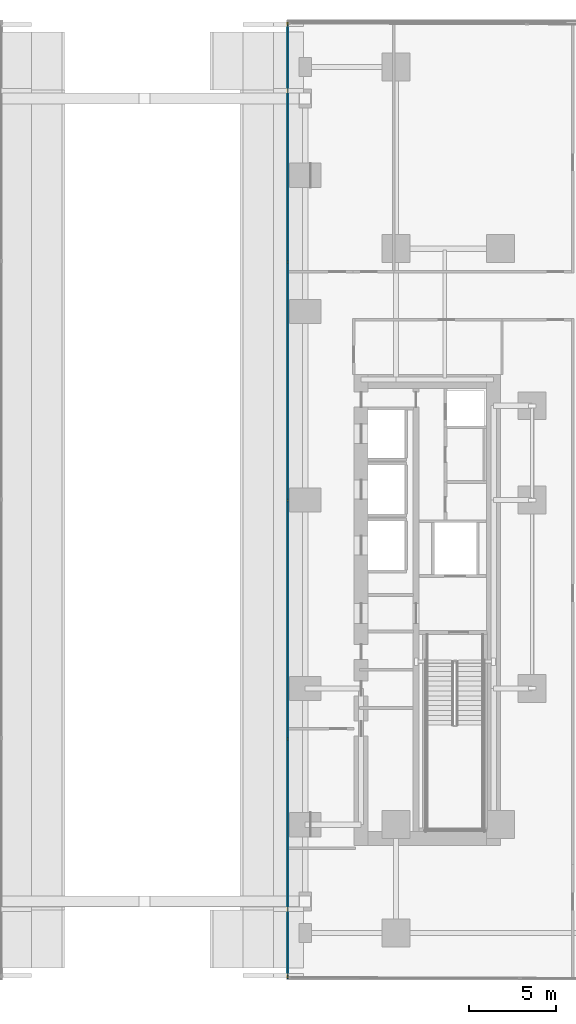
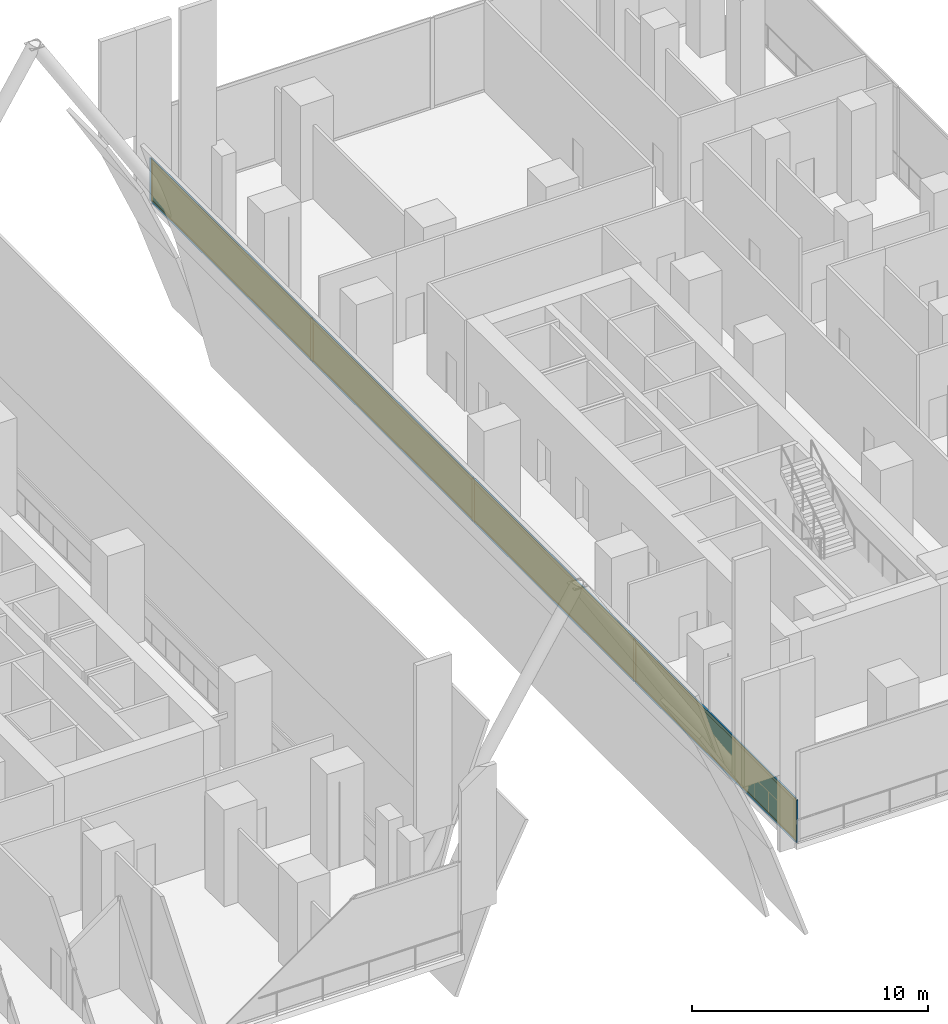
# One storey, part 16 of 31: 13 members, 4 plates, 1 curtain wall.
"""IFC4 building model written with IfcOpenShell, lengths in metres."""

from ifc_helpers import new_model, si_unit, direction, frame, frame_2d, origin, origin_2d, place, context, subcontext, project, spatial, rectangle, extrude, material, layer, layer_set, material_profile, profile_set, type_object, element, aggregate, save


model = new_model("IFC4")

# Units and contexts
model_context = context("Model", 3, precision=1e-05, world=origin(), true_north=direction((0.0, 1.0)))
body_context = subcontext(model_context, "Body", "Model", "MODEL_VIEW")
ifc_project = project(units=[si_unit("LENGTHUNIT", "METRE"), si_unit("AREAUNIT", "SQUARE_METRE"), si_unit("VOLUMEUNIT", "CUBIC_METRE"), si_unit("PLANEANGLEUNIT", "RADIAN"), si_unit("MASSUNIT", "GRAM", prefix="KILO")], contexts=[model_context])

# Member
ifc_material_1 = material(Name="Anodised Bronze Aluminium 6063-T6", Category="aluminium")
ifc_material_profile_1 = material_profile(ifc_material_1, rectangle(XDim=0.074951171875, YDim=0.199951171875, at=origin_2d()))
ifc_profile_set_1 = profile_set([ifc_material_profile_1], Name="Anodised Bronze Aluminium 6063-T6")
member_type_1 = type_object("IfcMemberType", Name="CW-POD Mullion 75x200", PredefinedType="MULLION", material=ifc_profile_set_1)
site_placement = place(None, origin())
building_placement = place(site_placement, origin())
storey_placement = place(building_placement, frame((0.0, 0.0, 6.0)))
member_1_placement = place(storey_placement, frame((8.199951171875, -27.319091796875, 0.0), z_axis=(0.0, 0.0, 1.0), x_axis=(-1.0, 0.0, 0.0)))
member_1 = element("IfcMember", 1, at=member_1_placement, type_object=member_type_1, Name="CW-POD mullion 1", PredefinedType="MULLION", context=body_context, shape_type="SweptSolid", body=[
    extrude(rectangle(XDim=0.074951171875, YDim=0.199951171875, at=origin_2d()), origin(), (0.0, 0.0, 1.0), 2.199951171875),
])

member_2_placement = place(storey_placement, frame((8.199951171875, -13.691162109375, 0.0), z_axis=(0.0, 0.0, 1.0), x_axis=(-1.0, 0.0, 0.0)))
member_2 = element("IfcMember", 2, at=member_2_placement, type_object=member_type_1, Name="CW-POD mullion 2", PredefinedType="MULLION", context=body_context, shape_type="SweptSolid", body=[
    extrude(rectangle(XDim=0.074951171875, YDim=0.199951171875, at=origin_2d()), origin(), (0.0, 0.0, 1.0), 2.199951171875),
])

member_3_placement = place(storey_placement, frame((8.199951171875, -0.025634765625, 0.0), z_axis=(0.0, 0.0, 1.0), x_axis=(-1.0, 0.0, 0.0)))
member_3 = element("IfcMember", 3, at=member_3_placement, type_object=member_type_1, Name="CW-POD mullion 3", PredefinedType="MULLION", context=body_context, shape_type="SweptSolid", body=[
    extrude(rectangle(XDim=0.074951171875, YDim=0.199951171875, at=origin_2d()), origin(), (0.0, 0.0, 1.0), 2.199951171875),
])

member_4_placement = place(storey_placement, frame((8.199951171875, 13.6396484375, 0.0), z_axis=(0.0, 0.0, 1.0), x_axis=(-1.0, 0.0, 0.0)))
member_4 = element("IfcMember", 4, at=member_4_placement, type_object=member_type_1, Name="CW-POD mullion 4", PredefinedType="MULLION", context=body_context, shape_type="SweptSolid", body=[
    extrude(rectangle(XDim=0.074951171875, YDim=0.199951171875, at=origin_2d()), origin(), (0.0, 0.0, 1.0), 2.199951171875),
])

member_5_placement = place(storey_placement, frame((8.199951171875, 27.267578125, 0.0), z_axis=(0.0, 0.0, 1.0), x_axis=(-1.0, 0.0, 0.0)))
member_5 = element("IfcMember", 5, at=member_5_placement, type_object=member_type_1, Name="CW-POD mullion 5", PredefinedType="MULLION", context=body_context, shape_type="SweptSolid", body=[
    extrude(rectangle(XDim=0.074951171875, YDim=0.199951171875, at=origin_2d()), origin(), (0.0, 0.0, 1.0), 2.199951171875),
])

ifc_material_2 = material(Name="Anodised Bronze Aluminium 6063-T6", Category="aluminium")
ifc_material_profile_2 = material_profile(ifc_material_2, rectangle(XDim=0.074951171875, YDim=0.159912109375, at=origin_2d()))
ifc_profile_set_2 = profile_set([ifc_material_profile_2], Name="Anodised Bronze Aluminium 6063-T6")
member_type_2 = type_object("IfcMemberType", Name="CW-POD Transom 75x160", PredefinedType="USERDEFINED", material=ifc_profile_set_2)
member_6_placement = place(storey_placement, frame((8.199951171875, -27.281494140625, 0.03759765625), z_axis=(0.0, 1.0, 0.0), x_axis=(-1.0, 0.0, 0.0)))
member_6 = element("IfcMember", 6, at=member_6_placement, type_object=member_type_2, Name="CW-POD transom 1.1", ObjectType="TRANSOM", PredefinedType="USERDEFINED", context=body_context, shape_type="SweptSolid", body=[
    extrude(rectangle(XDim=0.074951171875, YDim=0.159912109375, at=origin_2d()), origin(), (0.0, 0.0, 1.0), 13.552734375),
])

member_7_placement = place(storey_placement, frame((8.199951171875, -27.281494140625, 2.16259765625), z_axis=(0.0, 1.0, 0.0), x_axis=(-1.0, 0.0, 0.0)))
member_7 = element("IfcMember", 7, at=member_7_placement, type_object=member_type_2, Name="CW-POD transom 1.2", ObjectType="TRANSOM", PredefinedType="USERDEFINED", context=body_context, shape_type="SweptSolid", body=[
    extrude(rectangle(XDim=0.074951171875, YDim=0.159912109375, at=origin_2d()), origin(), (0.0, 0.0, 1.0), 13.552734375),
])

member_8_placement = place(storey_placement, frame((8.199951171875, -13.653564453125, 0.03759765625), z_axis=(0.0, 1.0, 0.0), x_axis=(-1.0, 0.0, 0.0)))
member_8 = element("IfcMember", 8, at=member_8_placement, type_object=member_type_2, Name="CW-POD transom 2.1", ObjectType="TRANSOM", PredefinedType="USERDEFINED", context=body_context, shape_type="SweptSolid", body=[
    extrude(rectangle(XDim=0.074951171875, YDim=0.159912109375, at=origin_2d()), origin(), (0.0, 0.0, 1.0), 13.59033203125),
])

member_9_placement = place(storey_placement, frame((8.199951171875, -13.653564453125, 2.16259765625), z_axis=(0.0, 1.0, 0.0), x_axis=(-1.0, 0.0, 0.0)))
member_9 = element("IfcMember", 9, at=member_9_placement, type_object=member_type_2, Name="CW-POD transom 2.2", ObjectType="TRANSOM", PredefinedType="USERDEFINED", context=body_context, shape_type="SweptSolid", body=[
    extrude(rectangle(XDim=0.074951171875, YDim=0.159912109375, at=origin_2d()), origin(), (0.0, 0.0, 1.0), 13.59033203125),
])

member_10_placement = place(storey_placement, frame((8.199951171875, 0.01171875, 0.03759765625), z_axis=(0.0, 1.0, 0.0), x_axis=(-1.0, 0.0, 0.0)))
member_10 = element("IfcMember", 10, at=member_10_placement, type_object=member_type_2, Name="CW-POD transom 3.1", ObjectType="TRANSOM", PredefinedType="USERDEFINED", context=body_context, shape_type="SweptSolid", body=[
    extrude(rectangle(XDim=0.074951171875, YDim=0.159912109375, at=origin_2d()), origin(), (0.0, 0.0, 1.0), 13.590576171875),
])

member_11_placement = place(storey_placement, frame((8.199951171875, 0.01171875, 2.16259765625), z_axis=(0.0, 1.0, 0.0), x_axis=(-1.0, 0.0, 0.0)))
member_11 = element("IfcMember", 11, at=member_11_placement, type_object=member_type_2, Name="CW-POD transom 3.2", ObjectType="TRANSOM", PredefinedType="USERDEFINED", context=body_context, shape_type="SweptSolid", body=[
    extrude(rectangle(XDim=0.074951171875, YDim=0.159912109375, at=origin_2d()), origin(), (0.0, 0.0, 1.0), 13.590576171875),
])

member_12_placement = place(storey_placement, frame((8.199951171875, 13.67724609375, 0.03759765625), z_axis=(0.0, 1.0, 0.0), x_axis=(-1.0, 0.0, 0.0)))
member_12 = element("IfcMember", 12, at=member_12_placement, type_object=member_type_2, Name="CW-POD transom 4.1", ObjectType="TRANSOM", PredefinedType="USERDEFINED", context=body_context, shape_type="SweptSolid", body=[
    extrude(rectangle(XDim=0.074951171875, YDim=0.159912109375, at=origin_2d()), origin(), (0.0, 0.0, 1.0), 13.552734375),
])

member_13_placement = place(storey_placement, frame((8.199951171875, 13.67724609375, 2.16259765625), z_axis=(0.0, 1.0, 0.0), x_axis=(-1.0, 0.0, 0.0)))
member_13 = element("IfcMember", 13, at=member_13_placement, type_object=member_type_2, Name="CW-POD transom 4.2", ObjectType="TRANSOM", PredefinedType="USERDEFINED", context=body_context, shape_type="SweptSolid", body=[
    extrude(rectangle(XDim=0.074951171875, YDim=0.159912109375, at=origin_2d()), origin(), (0.0, 0.0, 1.0), 13.552734375),
])

# Plate
ifc_material_3 = material(Name="Low-E Solar Control Laminated Glass", Category="glass")
ifc_layer_1 = layer(ifc_material_3, 0.031982421875, Name="Low-E Solar Control Laminated Glass")
ifc_layer_set_1 = layer_set([ifc_layer_1], Name="Low-E Solar Control Laminated Glass")
plate_type = type_object("IfcPlateType", Name="CW-POD Low-E Double Glazed Panel 32mm", PredefinedType="CURTAIN_PANEL", material=ifc_layer_set_1)
plate_1_placement = place(storey_placement, frame((8.199951171875, -20.505126953125, 0.0751953125), z_axis=(0.0, 0.0, 1.0), x_axis=(0.0, 1.0, 0.0)))
plate_1 = element("IfcPlate", 14, at=plate_1_placement, type_object=plate_type, Name="CW-POD panel 1.1", PredefinedType="CURTAIN_PANEL", context=body_context, shape_type="SweptSolid", body=[
    extrude(rectangle(XDim=13.552978515625, YDim=0.031982421875, at=origin_2d()), origin(), (0.0, 0.0, 1.0), 2.050048828125),
])

plate_2_placement = place(storey_placement, frame((8.199951171875, -6.8583984375, 0.0751953125), z_axis=(0.0, 0.0, 1.0), x_axis=(0.0, 1.0, 0.0)))
plate_2 = element("IfcPlate", 15, at=plate_2_placement, type_object=plate_type, Name="CW-POD panel 2.1", PredefinedType="CURTAIN_PANEL", context=body_context, shape_type="SweptSolid", body=[
    extrude(rectangle(XDim=13.59033203125, YDim=0.031982421875, at=origin_2d()), origin(), (0.0, 0.0, 1.0), 2.050048828125),
])

plate_3_placement = place(storey_placement, frame((8.199951171875, 6.806884765625, 0.0751953125), z_axis=(0.0, 0.0, 1.0), x_axis=(0.0, 1.0, 0.0)))
plate_3 = element("IfcPlate", 16, at=plate_3_placement, type_object=plate_type, Name="CW-POD panel 3.1", PredefinedType="CURTAIN_PANEL", context=body_context, shape_type="SweptSolid", body=[
    extrude(rectangle(XDim=13.59033203125, YDim=0.031982421875, at=origin_2d()), origin(), (0.0, 0.0, 1.0), 2.050048828125),
])

plate_4_placement = place(storey_placement, frame((8.199951171875, 20.45361328125, 0.0751953125), z_axis=(0.0, 0.0, 1.0), x_axis=(0.0, 1.0, 0.0)))
plate_4 = element("IfcPlate", 17, at=plate_4_placement, type_object=plate_type, Name="CW-POD panel 4.1", PredefinedType="CURTAIN_PANEL", context=body_context, shape_type="SweptSolid", body=[
    extrude(rectangle(XDim=13.552978515625, YDim=0.031982421875, at=origin_2d()), origin(), (0.0, 0.0, 1.0), 2.050048828125),
])

# Site, building, storey
site = spatial("IfcSite", under=ifc_project, at=site_placement, CompositionType="ELEMENT")
building = spatial("IfcBuilding", under=site, at=building_placement, Name="Khairoan Windgate Tower", CompositionType="ELEMENT")
storey = spatial("IfcBuildingStorey", under=building, at=storey_placement, Name="L02", CompositionType="ELEMENT", Elevation=6.0)

# Curtain wall
ifc_material_4 = material(Name="Anodised Bronze Aluminium 6063-T6", Category="aluminium")
ifc_layer_2 = layer(ifc_material_4, 0.199951171875, Name="Anodised Bronze Aluminium 6063-T6")
ifc_layer_set_2 = layer_set([ifc_layer_2], Name="Anodised Bronze Aluminium 6063-T6")
curtain_wall_type = type_object("IfcCurtainWallType", Name="Podium Arch Galleria Curtain Wall CW-POD", PredefinedType="NOTDEFINED", material=ifc_layer_set_2)
curtain_wall_placement = place(storey_placement, frame((8.199951171875, -27.356689453125, 0.0), z_axis=(0.0, 0.0, 1.0), x_axis=(0.0, 1.0, 0.0)))
curtain_wall = element("IfcCurtainWall", 18, at=curtain_wall_placement, inside=storey, type_object=curtain_wall_type, Name="L02 Arch Concourse Side Vitrine 2", PredefinedType="NOTDEFINED", context=body_context, shape_type="SweptSolid", body=[
    extrude(rectangle(XDim=54.661865234375, YDim=0.010009765625, at=frame_2d((27.3310546875, 0.0))), origin(), (0.0, 0.0, 1.0), 2.199951171875),
])

aggregate(curtain_wall, [member_1, member_2, member_3, member_4, member_5, member_6, member_7, plate_1, member_8, member_9, plate_2, member_10, member_11, plate_3, member_12, member_13, plate_4])

save(model, "model.ifc")
